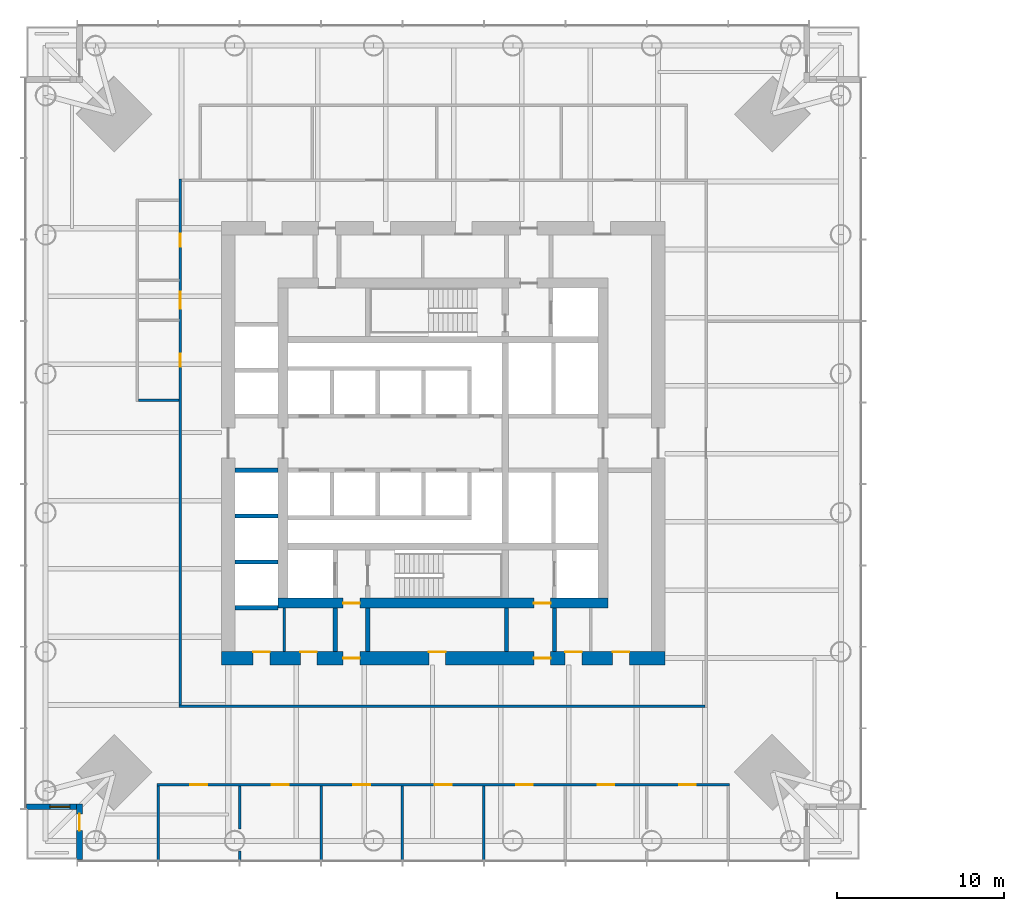
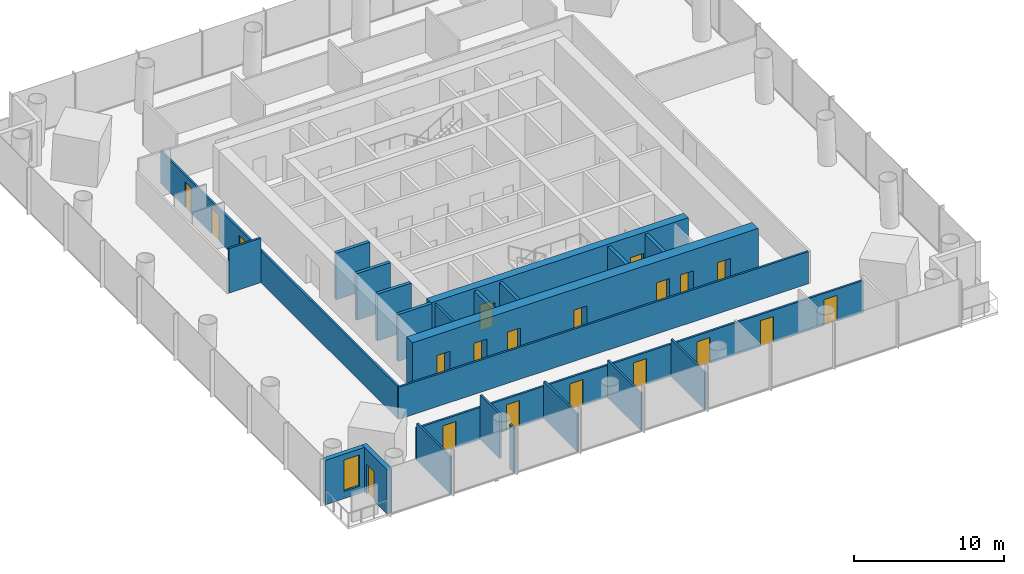
# One storey, part 9 of 19: 23 walls, 20 doors, 1 window, 21 openings.
"""IFC4 building model written with IfcOpenShell, lengths in metres."""

from ifc_helpers import new_model, si_unit, direction, frame, frame_2d, origin, place, context, subcontext, project, spatial, rectangle, extrude, material, layer, layer_set, type_object, element, fill, save


model = new_model("IFC4")

# Units and contexts
model_context = context("Model", 3, precision=1e-05, world=origin(), true_north=direction((0.0, 1.0)))
body_context = subcontext(model_context, "Body", "Model", "MODEL_VIEW")
ifc_project = project(units=[si_unit("LENGTHUNIT", "METRE"), si_unit("AREAUNIT", "SQUARE_METRE"), si_unit("VOLUMEUNIT", "CUBIC_METRE"), si_unit("PLANEANGLEUNIT", "RADIAN"), si_unit("MASSUNIT", "GRAM", prefix="KILO")], contexts=[model_context])

# Site, building, storey
site_placement = place(None, origin())
site = spatial("IfcSite", under=ifc_project, at=site_placement, CompositionType="ELEMENT")
building_placement = place(site_placement, origin())
building = spatial("IfcBuilding", under=site, at=building_placement, Name="Ostroluk Exchange", CompositionType="ELEMENT")
storey_placement = place(building_placement, frame((0.0, 0.0, 24.800048828125)))
storey = spatial("IfcBuildingStorey", under=building, at=storey_placement, Name="L05", CompositionType="ELEMENT", Elevation=24.800048828125)

# Walls
ifc_material_1 = material(Name="Concrete blockwork", Category="masonry")
ifc_layer_1 = layer(ifc_material_1, 0.14990234375)
ifc_layer_set_1 = layer_set([ifc_layer_1], Name="Blockwork plant room wall 150")
wall_type_1 = type_object("IfcWallType", Name="Blockwork plant room wall 150", PredefinedType="SOLIDWALL", material=ifc_layer_set_1)
wall_1_placement = place(storey_placement, frame((35.449951171875, 33.5, 0.0), z_axis=(0.0, 0.0, 1.0), x_axis=(0.0, 1.0, 0.0)))
element("IfcWall", 1, at=wall_1_placement, inside=storey, type_object=wall_type_1, Name="Core room wall", PredefinedType="SOLIDWALL", context=body_context, shape_type="SweptSolid", body=[
    extrude(rectangle(XDim=2.60009765625, YDim=0.14990234375, at=frame_2d((1.300048828125, 0.0))), origin(), (0.0, 0.0, 1.0), 3.619873046875),
])
ifc_material_2 = material(Name="Concrete blockwork", Category="masonry")
ifc_layer_2 = layer(ifc_material_2, 0.25)
ifc_layer_set_2 = layer_set([ifc_layer_2], Name="Blockwork stair enclosure wall 250")
wall_type_2 = type_object("IfcWallType", Name="Blockwork stair enclosure wall 250", PredefinedType="SOLIDWALL", material=ifc_layer_set_2)
for number, where, z_axis, x_axis, name in (
    (2, (38.52490234375, 33.5, 0.0), (0.0, 0.0, 1.0), (0.0, 1.0, 0.0), "Fire lobby enclosure wall"),
    (3, (40.47509765625, 33.5, 0.0), (0.0, 0.0, 1.0), (0.0, 1.0, 0.0), "Fire lobby enclosure wall"),
    (4, (48.804931640625, 33.5, 0.0), (0.0, 0.0, 1.0), (0.0, 1.0, 0.0), "Service lobby enclosure wall"),
    (5, (51.675048828125, 33.5, 0.0), (0.0, 0.0, 1.0), (0.0, 1.0, 0.0), "Service lobby enclosure wall"),
):
    element("IfcWall", number, at=place(storey_placement, frame(where, z_axis=z_axis, x_axis=x_axis)), inside=storey, type_object=wall_type_2, Name=name, PredefinedType="SOLIDWALL", context=body_context, shape_type="SweptSolid", body=[
        extrude(rectangle(XDim=2.60009765625, YDim=0.25, at=frame_2d((1.300048828125, 0.0))), origin(), (0.0, 0.0, 1.0), 3.619873046875),
    ])
ifc_material_3 = material(Name="Concrete C40/50", Category="concrete")
ifc_layer_3 = layer(ifc_material_3, 0.25)
ifc_layer_set_3 = layer_set([ifc_layer_3], Name="Core shaft wall 250")
wall_type_3 = type_object("IfcWallType", Name="Core shaft wall 250", PredefinedType="SHEAR", material=ifc_layer_set_3)
for number, where, z_axis, x_axis, name in (
    (6, (32.5, 36.125, 0.0), (0.0, 0.0, 1.0), (1.0, 0.0, 0.0), "Lift shaft wall"),
    (7, (32.5, 38.875, 0.0), (0.0, 0.0, 1.0), (1.0, 0.0, 0.0), "Lift shaft wall"),
    (8, (32.5, 41.625, 0.0), (0.0, 0.0, 1.0), (1.0, 0.0, 0.0), "Lift shaft wall"),
    (9, (32.5, 44.375, 0.0), (0.0, 0.0, 1.0), (1.0, 0.0, 0.0), "Lift shaft wall"),
):
    element("IfcWall", number, at=place(storey_placement, frame(where, z_axis=z_axis, x_axis=x_axis)), inside=storey, type_object=wall_type_3, Name=name, PredefinedType="SHEAR", context=body_context, shape_type="SweptSolid", body=[
        extrude(rectangle(XDim=2.60009765625, YDim=0.25, at=frame_2d((1.300048828125, 0.0))), origin(), (0.0, 0.0, 1.0), 3.800048828125),
    ])

# Wall, openings, doors
ifc_material_4 = material(Name="Concrete C50/60", Category="concrete")
ifc_layer_4 = layer(ifc_material_4, 0.60009765625)
ifc_layer_set_4 = layer_set([ifc_layer_4], Name="Core wall 600 C50/60")
wall_type_4 = type_object("IfcWallType", Name="Core wall 600 C50/60", PredefinedType="SHEAR", material=ifc_layer_set_4)
wall_2_placement = place(storey_placement, frame((35.10009765625, 36.39990234375, 0.0), z_axis=(0.0, 0.0, 1.0), x_axis=(1.0, 0.0, 0.0)))
wall_2 = element("IfcWall", 10, at=wall_2_placement, inside=storey, type_object=wall_type_4, Name="T1 core wall S", PredefinedType="SHEAR", context=body_context, shape_type="SweptSolid", body=[
    extrude(rectangle(XDim=19.7998046875, YDim=0.60009765625, at=frame_2d((9.89990234375, 0.0))), origin(), (0.0, 0.0, 1.0), 3.800048828125),
])
opening_1_placement = place(wall_2_placement, frame((3.89990234375, 0.0, 0.0)))
opening_1 = element("IfcOpeningElement", 11, at=opening_1_placement, cuts=wall_2, Name="Opening FD60", PredefinedType="OPENING", context=body_context, shape_type="SweptSolid", body=[
    extrude(rectangle(XDim=1.0, YDim=2.10009765625, at=frame_2d((0.5, 1.050048828125))), frame((0.0, 0.31005859375, 0.0), z_axis=(0.0, -1.0, 0.0), x_axis=(1.0, 0.0, 0.0)), (0.0, 0.0, 1.0), 0.6201171875),
])
opening_2_placement = place(wall_2_placement, frame((15.35009765625, 0.0, 0.0)))
opening_2 = element("IfcOpeningElement", 12, at=opening_2_placement, cuts=wall_2, Name="Opening FD60", PredefinedType="OPENING", context=body_context, shape_type="SweptSolid", body=[
    extrude(rectangle(XDim=1.0, YDim=2.10009765625, at=frame_2d((0.5, 1.050048828125))), frame((0.0, 0.31005859375, 0.0), z_axis=(0.0, -1.0, 0.0), x_axis=(1.0, 0.0, 0.0)), (0.0, 0.0, 1.0), 0.6201171875),
])
ifc_material_5 = material(Name="Steel", Category="steel")
door_type_1 = type_object("IfcDoorType", Name="Fire door EI 60 1000 x 2100", OperationType="SINGLE_SWING_LEFT", PredefinedType="DOOR", material=ifc_material_5)
door_1_placement = place(opening_1_placement, origin())
door_1 = element("IfcDoor", 13, at=door_1_placement, inside=storey, type_object=door_type_1, Name="Firefighting lobby door", OperationType="SINGLE_SWING_LEFT", OverallHeight=2.10009765625, OverallWidth=1.0, PredefinedType="DOOR", context=body_context, shape_type="SweptSolid", body=[
    extrude(rectangle(XDim=1.0, YDim=2.10009765625, at=frame_2d((0.5, 1.050048828125))), frame((0.0, 0.02490234375, 0.0), z_axis=(0.0, -1.0, 0.0), x_axis=(1.0, 0.0, 0.0)), (0.0, 0.0, 1.0), 0.050048828125),
])
fill(opening_1, door_1)
door_2_placement = place(opening_2_placement, origin())
door_2 = element("IfcDoor", 14, at=door_2_placement, inside=storey, type_object=door_type_1, Name="Service lobby door", OperationType="SINGLE_SWING_RIGHT", OverallHeight=2.10009765625, OverallWidth=1.0, PredefinedType="DOOR", context=body_context, shape_type="SweptSolid", body=[
    extrude(rectangle(XDim=1.0, YDim=2.10009765625, at=frame_2d((0.5, 1.050048828125))), frame((0.0, 0.02490234375, 0.0), z_axis=(0.0, -1.0, 0.0), x_axis=(1.0, 0.0, 0.0)), (0.0, 0.0, 1.0), 0.050048828125),
])
fill(opening_2, door_2)

ifc_material_6 = material(Name="Concrete C50/60", Category="concrete")
ifc_layer_5 = layer(ifc_material_6, 0.800048828125)
ifc_layer_set_5 = layer_set([ifc_layer_5], Name="Core wall 800 C50/60")
wall_type_5 = type_object("IfcWallType", Name="Core wall 800 C50/60", PredefinedType="SHEAR", material=ifc_layer_set_5)
wall_3_placement = place(storey_placement, frame((31.699951171875, 33.10009765625, 0.0), z_axis=(0.0, 0.0, 1.0), x_axis=(1.0, 0.0, 0.0)))
wall_3 = element("IfcWall", 15, at=wall_3_placement, inside=storey, type_object=wall_type_5, Name="T1 core wall RS", PredefinedType="SHEAR", context=body_context, shape_type="SweptSolid", body=[
    extrude(rectangle(XDim=26.60009765625, YDim=0.800048828125, at=frame_2d((13.300048828125, 0.0))), origin(), (0.0, 0.0, 1.0), 3.800048828125),
])
opening_3_placement = place(wall_3_placement, frame((7.300048828125, 0.0, 0.0)))
opening_3 = element("IfcOpeningElement", 16, at=opening_3_placement, cuts=wall_3, Name="Opening FD60", PredefinedType="OPENING", context=body_context, shape_type="SweptSolid", body=[
    extrude(rectangle(XDim=1.0, YDim=2.10009765625, at=frame_2d((0.5, 1.050048828125))), frame((0.0, 0.409912109375, 0.0), z_axis=(0.0, -1.0, 0.0), x_axis=(1.0, 0.0, 0.0)), (0.0, 0.0, 1.0), 0.820068359375),
])
opening_4_placement = place(wall_3_placement, frame((18.75, 0.0, 0.0)))
opening_4 = element("IfcOpeningElement", 17, at=opening_4_placement, cuts=wall_3, Name="Opening FD60", PredefinedType="OPENING", context=body_context, shape_type="SweptSolid", body=[
    extrude(rectangle(XDim=1.0, YDim=2.10009765625, at=frame_2d((0.5, 1.050048828125))), frame((0.0, 0.409912109375, 0.0), z_axis=(0.0, -1.0, 0.0), x_axis=(1.0, 0.0, 0.0)), (0.0, 0.0, 1.0), 0.820068359375),
])
opening_5_placement = place(wall_3_placement, frame((1.89990234375, 0.0, 0.0)))
opening_5 = element("IfcOpeningElement", 18, at=opening_5_placement, cuts=wall_3, Name="Opening FD60", PredefinedType="OPENING", context=body_context, shape_type="SweptSolid", body=[
    extrude(rectangle(XDim=1.0, YDim=2.10009765625, at=frame_2d((0.5, 1.050048828125))), frame((0.0, 0.409912109375, 0.0), z_axis=(0.0, -1.0, 0.0), x_axis=(1.0, 0.0, 0.0)), (0.0, 0.0, 1.0), 0.820068359375),
])
opening_6_placement = place(wall_3_placement, frame((4.72509765625, 0.0, 0.0)))
opening_6 = element("IfcOpeningElement", 19, at=opening_6_placement, cuts=wall_3, Name="Opening FD60", PredefinedType="OPENING", context=body_context, shape_type="SweptSolid", body=[
    extrude(rectangle(XDim=1.0, YDim=2.10009765625, at=frame_2d((0.5, 1.050048828125))), frame((0.0, 0.409912109375, 0.0), z_axis=(0.0, -1.0, 0.0), x_axis=(1.0, 0.0, 0.0)), (0.0, 0.0, 1.0), 0.820068359375),
])
opening_7_placement = place(wall_3_placement, frame((12.43994140625, 0.0, 0.0)))
opening_7 = element("IfcOpeningElement", 20, at=opening_7_placement, cuts=wall_3, Name="Opening FD60", PredefinedType="OPENING", context=body_context, shape_type="SweptSolid", body=[
    extrude(rectangle(XDim=1.0, YDim=2.10009765625, at=frame_2d((0.5, 1.050048828125))), frame((0.0, 0.409912109375, 0.0), z_axis=(0.0, -1.0, 0.0), x_axis=(1.0, 0.0, 0.0)), (0.0, 0.0, 1.0), 0.820068359375),
])
opening_8_placement = place(wall_3_placement, frame((20.6259765625, 0.0, 0.0)))
opening_8 = element("IfcOpeningElement", 21, at=opening_8_placement, cuts=wall_3, Name="Opening FD60", PredefinedType="OPENING", context=body_context, shape_type="SweptSolid", body=[
    extrude(rectangle(XDim=1.0, YDim=2.10009765625, at=frame_2d((0.5, 1.050048828125))), frame((0.0, 0.409912109375, 0.0), z_axis=(0.0, -1.0, 0.0), x_axis=(1.0, 0.0, 0.0)), (0.0, 0.0, 1.0), 0.820068359375),
])
opening_9_placement = place(wall_3_placement, frame((23.47607421875, 0.0, 0.0)))
opening_9 = element("IfcOpeningElement", 22, at=opening_9_placement, cuts=wall_3, Name="Opening FD60", PredefinedType="OPENING", context=body_context, shape_type="SweptSolid", body=[
    extrude(rectangle(XDim=1.0, YDim=2.10009765625, at=frame_2d((0.5, 1.050048828125))), frame((0.0, 0.409912109375, 0.0), z_axis=(0.0, -1.0, 0.0), x_axis=(1.0, 0.0, 0.0)), (0.0, 0.0, 1.0), 0.820068359375),
])
door_3_placement = place(opening_3_placement, origin())
door_3 = element("IfcDoor", 23, at=door_3_placement, inside=storey, type_object=door_type_1, Name="Firefighting lobby door", OperationType="SINGLE_SWING_LEFT", OverallHeight=2.10009765625, OverallWidth=1.0, PredefinedType="DOOR", context=body_context, shape_type="SweptSolid", body=[
    extrude(rectangle(XDim=1.0, YDim=2.10009765625, at=frame_2d((0.5, 1.050048828125))), frame((0.0, 0.02490234375, 0.0), z_axis=(0.0, -1.0, 0.0), x_axis=(1.0, 0.0, 0.0)), (0.0, 0.0, 1.0), 0.050048828125),
])
fill(opening_3, door_3)
door_4_placement = place(opening_4_placement, origin())
door_4 = element("IfcDoor", 24, at=door_4_placement, inside=storey, type_object=door_type_1, Name="Service lobby door", OperationType="SINGLE_SWING_RIGHT", OverallHeight=2.10009765625, OverallWidth=1.0, PredefinedType="DOOR", context=body_context, shape_type="SweptSolid", body=[
    extrude(rectangle(XDim=1.0, YDim=2.10009765625, at=frame_2d((0.5, 1.050048828125))), frame((0.0, 0.02490234375, 0.0), z_axis=(0.0, -1.0, 0.0), x_axis=(1.0, 0.0, 0.0)), (0.0, 0.0, 1.0), 0.050048828125),
])
fill(opening_4, door_4)
door_5_placement = place(opening_5_placement, origin())
door_5 = element("IfcDoor", 25, at=door_5_placement, inside=storey, type_object=door_type_1, Name="Archive door", OperationType="SINGLE_SWING_LEFT", OverallHeight=2.10009765625, OverallWidth=1.0, PredefinedType="DOOR", context=body_context, shape_type="SweptSolid", body=[
    extrude(rectangle(XDim=1.0, YDim=2.10009765625, at=frame_2d((0.5, 1.050048828125))), frame((0.0, 0.39013671875, 0.0), z_axis=(0.0, -1.0, 0.0), x_axis=(1.0, 0.0, 0.0)), (0.0, 0.0, 1.0), 0.050048828125),
])
fill(opening_5, door_5)
door_6_placement = place(opening_6_placement, origin())
door_6 = element("IfcDoor", 26, at=door_6_placement, inside=storey, type_object=door_type_1, Name="Tenant IT room door", OperationType="SINGLE_SWING_LEFT", OverallHeight=2.10009765625, OverallWidth=1.0, PredefinedType="DOOR", context=body_context, shape_type="SweptSolid", body=[
    extrude(rectangle(XDim=1.0, YDim=2.10009765625, at=frame_2d((0.5, 1.050048828125))), frame((0.0, 0.39013671875, 0.0), z_axis=(0.0, -1.0, 0.0), x_axis=(1.0, 0.0, 0.0)), (0.0, 0.0, 1.0), 0.050048828125),
])
fill(opening_6, door_6)
door_7_placement = place(opening_7_placement, origin())
door_7 = element("IfcDoor", 27, at=door_7_placement, inside=storey, type_object=door_type_1, Name="Tea point door", OperationType="SINGLE_SWING_LEFT", OverallHeight=2.10009765625, OverallWidth=1.0, PredefinedType="DOOR", context=body_context, shape_type="SweptSolid", body=[
    extrude(rectangle(XDim=1.0, YDim=2.10009765625, at=frame_2d((0.5, 1.050048828125))), frame((0.0, 0.39013671875, 0.0), z_axis=(0.0, -1.0, 0.0), x_axis=(1.0, 0.0, 0.0)), (0.0, 0.0, 1.0), 0.050048828125),
])
fill(opening_7, door_7)
door_8_placement = place(opening_8_placement, origin())
door_8 = element("IfcDoor", 28, at=door_8_placement, inside=storey, type_object=door_type_1, Name="Store door", OperationType="SINGLE_SWING_RIGHT", OverallHeight=2.10009765625, OverallWidth=1.0, PredefinedType="DOOR", context=body_context, shape_type="SweptSolid", body=[
    extrude(rectangle(XDim=1.0, YDim=2.10009765625, at=frame_2d((0.5, 1.050048828125))), frame((0.0, 0.39013671875, 0.0), z_axis=(0.0, -1.0, 0.0), x_axis=(1.0, 0.0, 0.0)), (0.0, 0.0, 1.0), 0.050048828125),
])
fill(opening_8, door_8)
door_9_placement = place(opening_9_placement, origin())
door_9 = element("IfcDoor", 29, at=door_9_placement, inside=storey, type_object=door_type_1, Name="First aid room door", OperationType="SINGLE_SWING_RIGHT", OverallHeight=2.10009765625, OverallWidth=1.0, PredefinedType="DOOR", context=body_context, shape_type="SweptSolid", body=[
    extrude(rectangle(XDim=1.0, YDim=2.10009765625, at=frame_2d((0.5, 1.050048828125))), frame((0.0, 0.39013671875, 0.0), z_axis=(0.0, -1.0, 0.0), x_axis=(1.0, 0.0, 0.0)), (0.0, 0.0, 1.0), 0.050048828125),
])
fill(opening_9, door_9)

# Wall, opening, door
ifc_material_7 = material(Name="Limestone", Category="masonry")
ifc_layer_6 = layer(ifc_material_7, 0.35009765625)
ifc_layer_set_6 = layer_set([ifc_layer_6], Name="Limestone facade wall 350")
wall_type_6 = type_object("IfcWallType", Name="Limestone facade wall 350", PredefinedType="SOLIDWALL", material=ifc_layer_set_6)
wall_4_placement = place(storey_placement, frame((23.175048828125, 21.0, 0.0), z_axis=(0.0, 0.0, 1.0), x_axis=(0.0, 1.0, 0.0)))
wall_4 = element("IfcWall", 30, at=wall_4_placement, inside=storey, type_object=wall_type_6, Name="Office tower SW corner wall L05 a", PredefinedType="SOLIDWALL", context=body_context, shape_type="SweptSolid", body=[
    extrude(rectangle(XDim=3.35009765625, YDim=0.35009765625, at=frame_2d((1.675048828125, 0.0))), origin(), (0.0, 0.0, 1.0), 3.619873046875),
])
opening_10_placement = place(wall_4_placement, frame((1.75, 0.0, 0.0)))
opening_10 = element("IfcOpeningElement", 31, at=opening_10_placement, cuts=wall_4, Name="Opening D-B1", PredefinedType="OPENING", context=body_context, shape_type="SweptSolid", body=[
    extrude(rectangle(XDim=1.0, YDim=2.39990234375, at=frame_2d((0.5, 1.199951171875))), frame((0.0, 0.18505859375, 0.0), z_axis=(0.0, -1.0, 0.0), x_axis=(1.0, 0.0, 0.0)), (0.0, 0.0, 1.0), 0.3701171875),
])
ifc_material_8 = material(Name="Bronze framed glazed door", Category="aluminium")
door_type_2 = type_object("IfcDoorType", Name="Balcony door 1000 x 2400", OperationType="SINGLE_SWING_LEFT", PredefinedType="DOOR", material=ifc_material_8)
door_10_placement = place(opening_10_placement, origin())
door_10 = element("IfcDoor", 32, at=door_10_placement, inside=storey, type_object=door_type_2, Name="Office tower SW balcony door L05", OperationType="SINGLE_SWING_RIGHT", OverallHeight=2.39990234375, OverallWidth=1.0, PredefinedType="DOOR", context=body_context, shape_type="SweptSolid", body=[
    extrude(rectangle(XDim=1.0, YDim=2.39990234375, at=frame_2d((0.5, 1.199951171875))), frame((0.0, 0.02490234375, 0.0), z_axis=(0.0, -1.0, 0.0), x_axis=(1.0, 0.0, 0.0)), (0.0, 0.0, 1.0), 0.050048828125),
])
fill(opening_10, door_10)

# Wall, opening, window
wall_5_placement = place(storey_placement, frame((23.0, 24.175048828125, 0.0), z_axis=(0.0, 0.0, 1.0), x_axis=(-1.0, 0.0, 0.0)))
wall_5 = element("IfcWall", 33, at=wall_5_placement, inside=storey, type_object=wall_type_6, Name="Office tower SW corner wall L05 b", PredefinedType="SOLIDWALL", context=body_context, shape_type="SweptSolid", body=[
    extrude(rectangle(XDim=3.0, YDim=0.35009765625, at=frame_2d((1.5, 0.0))), origin(), (0.0, 0.0, 1.0), 3.619873046875),
])
opening_11_placement = place(wall_5_placement, frame((0.39990234375, 0.0, 0.60009765625)))
opening_11 = element("IfcOpeningElement", 34, at=opening_11_placement, cuts=wall_5, Name="Opening WN-L1", PredefinedType="OPENING", context=body_context, shape_type="SweptSolid", body=[
    extrude(rectangle(XDim=1.199951171875, YDim=2.550048828125, at=frame_2d((0.60009765625, 1.27490234375))), frame((0.0, 0.18505859375, 0.0), z_axis=(0.0, -1.0, 0.0), x_axis=(1.0, 0.0, 0.0)), (0.0, 0.0, 1.0), 0.3701171875),
])
ifc_material_9 = material(Name="Laminated clear glass", Category="glass")
window_type = type_object("IfcWindowType", Name="Lancet window 1200 x 2550", PartitioningType="SINGLE_PANEL", PredefinedType="WINDOW", material=ifc_material_9)
window_placement = place(opening_11_placement, origin())
window = element("IfcWindow", 35, at=window_placement, inside=storey, type_object=window_type, Name="Office tower SW lancet window L05", OverallHeight=2.550048828125, OverallWidth=1.199951171875, PartitioningType="SINGLE_PANEL", PredefinedType="WINDOW", context=body_context, shape_type="SweptSolid", body=[
    extrude(rectangle(XDim=1.199951171875, YDim=2.550048828125, at=frame_2d((0.60009765625, 1.27490234375))), frame((0.0, 0.030029296875, 0.0), z_axis=(0.0, -1.0, 0.0), x_axis=(1.0, 0.0, 0.0)), (0.0, 0.0, 1.0), 0.06005859375),
])
fill(opening_11, window)

# Wall, openings, doors
ifc_material_10 = material(Name="Gypsum plasterboard partition", Category="gypsum")
ifc_layer_7 = layer(ifc_material_10, 0.14990234375)
ifc_layer_set_7 = layer_set([ifc_layer_7], Name="Plasterboard partition 150")
wall_type_7 = type_object("IfcWallType", Name="Plasterboard partition 150", PredefinedType="PARTITIONING", material=ifc_layer_set_7)
wall_6_placement = place(storey_placement, frame((27.81396484375, 25.5, 0.0), z_axis=(0.0, 0.0, 1.0), x_axis=(1.0, 0.0, 0.0)))
wall_6 = element("IfcWall", 36, at=wall_6_placement, inside=storey, type_object=wall_type_7, Name="Partition", PredefinedType="PARTITIONING", context=body_context, shape_type="SweptSolid", body=[
    extrude(rectangle(XDim=34.3720703125, YDim=0.14990234375, at=frame_2d((17.18603515625, 0.0))), origin(), (0.0, 0.0, 1.0), 2.612060546875),
])
opening_12_placement = place(wall_6_placement, frame((2.01953125, 0.0, 0.0)))
opening_12 = element("IfcOpeningElement", 37, at=opening_12_placement, cuts=wall_6, Name="Opening D-03", PredefinedType="OPENING", context=body_context, shape_type="SweptSolid", body=[
    extrude(rectangle(XDim=1.0, YDim=2.10009765625, at=frame_2d((0.5, 1.050048828125))), frame((0.0, 0.0849609375, 0.0), z_axis=(0.0, -1.0, 0.0), x_axis=(1.0, 0.0, 0.0)), (0.0, 0.0, 1.0), 0.169921875),
])
opening_13_placement = place(wall_6_placement, frame((6.908447265625, 0.0, 0.0)))
opening_13 = element("IfcOpeningElement", 38, at=opening_13_placement, cuts=wall_6, Name="Opening D-03", PredefinedType="OPENING", context=body_context, shape_type="SweptSolid", body=[
    extrude(rectangle(XDim=1.0, YDim=2.10009765625, at=frame_2d((0.5, 1.050048828125))), frame((0.0, 0.0849609375, 0.0), z_axis=(0.0, -1.0, 0.0), x_axis=(1.0, 0.0, 0.0)), (0.0, 0.0, 1.0), 0.169921875),
])
opening_14_placement = place(wall_6_placement, frame((11.797119140625, 0.0, 0.0)))
opening_14 = element("IfcOpeningElement", 39, at=opening_14_placement, cuts=wall_6, Name="Opening D-03", PredefinedType="OPENING", context=body_context, shape_type="SweptSolid", body=[
    extrude(rectangle(XDim=1.0, YDim=2.10009765625, at=frame_2d((0.5, 1.050048828125))), frame((0.0, 0.0849609375, 0.0), z_axis=(0.0, -1.0, 0.0), x_axis=(1.0, 0.0, 0.0)), (0.0, 0.0, 1.0), 0.169921875),
])
opening_15_placement = place(wall_6_placement, frame((16.68603515625, 0.0, 0.0)))
opening_15 = element("IfcOpeningElement", 40, at=opening_15_placement, cuts=wall_6, Name="Opening D-03", PredefinedType="OPENING", context=body_context, shape_type="SweptSolid", body=[
    extrude(rectangle(XDim=1.0, YDim=2.10009765625, at=frame_2d((0.5, 1.050048828125))), frame((0.0, 0.0849609375, 0.0), z_axis=(0.0, -1.0, 0.0), x_axis=(1.0, 0.0, 0.0)), (0.0, 0.0, 1.0), 0.169921875),
])
opening_16_placement = place(wall_6_placement, frame((21.574951171875, 0.0, 0.0)))
opening_16 = element("IfcOpeningElement", 41, at=opening_16_placement, cuts=wall_6, Name="Opening D-03", PredefinedType="OPENING", context=body_context, shape_type="SweptSolid", body=[
    extrude(rectangle(XDim=1.0, YDim=2.10009765625, at=frame_2d((0.5, 1.050048828125))), frame((0.0, 0.0849609375, 0.0), z_axis=(0.0, -1.0, 0.0), x_axis=(1.0, 0.0, 0.0)), (0.0, 0.0, 1.0), 0.169921875),
])
opening_17_placement = place(wall_6_placement, frame((26.4638671875, 0.0, 0.0)))
opening_17 = element("IfcOpeningElement", 42, at=opening_17_placement, cuts=wall_6, Name="Opening D-03", PredefinedType="OPENING", context=body_context, shape_type="SweptSolid", body=[
    extrude(rectangle(XDim=1.0, YDim=2.10009765625, at=frame_2d((0.5, 1.050048828125))), frame((0.0, 0.0849609375, 0.0), z_axis=(0.0, -1.0, 0.0), x_axis=(1.0, 0.0, 0.0)), (0.0, 0.0, 1.0), 0.169921875),
])
opening_18_placement = place(wall_6_placement, frame((31.352783203125, 0.0, 0.0)))
opening_18 = element("IfcOpeningElement", 43, at=opening_18_placement, cuts=wall_6, Name="Opening D-03", PredefinedType="OPENING", context=body_context, shape_type="SweptSolid", body=[
    extrude(rectangle(XDim=1.0, YDim=2.10009765625, at=frame_2d((0.5, 1.050048828125))), frame((0.0, 0.0849609375, 0.0), z_axis=(0.0, -1.0, 0.0), x_axis=(1.0, 0.0, 0.0)), (0.0, 0.0, 1.0), 0.169921875),
])
ifc_material_11 = material(Name="Timber", Category="wood")
door_type_3 = type_object("IfcDoorType", Name="Internal door 1000 x 2100", OperationType="SINGLE_SWING_LEFT", PredefinedType="DOOR", material=ifc_material_11)
door_11_placement = place(opening_12_placement, origin())
door_11 = element("IfcDoor", 44, at=door_11_placement, inside=storey, type_object=door_type_3, Name="Office door", OperationType="SINGLE_SWING_LEFT", OverallHeight=2.10009765625, OverallWidth=1.0, PredefinedType="DOOR", context=body_context, shape_type="SweptSolid", body=[
    extrude(rectangle(XDim=1.0, YDim=2.10009765625, at=frame_2d((0.5, 1.050048828125))), frame((0.0, 0.02490234375, 0.0), z_axis=(0.0, -1.0, 0.0), x_axis=(1.0, 0.0, 0.0)), (0.0, 0.0, 1.0), 0.050048828125),
])
fill(opening_12, door_11)
door_12_placement = place(opening_13_placement, origin())
door_12 = element("IfcDoor", 45, at=door_12_placement, inside=storey, type_object=door_type_3, Name="Office door", OperationType="SINGLE_SWING_LEFT", OverallHeight=2.10009765625, OverallWidth=1.0, PredefinedType="DOOR", context=body_context, shape_type="SweptSolid", body=[
    extrude(rectangle(XDim=1.0, YDim=2.10009765625, at=frame_2d((0.5, 1.050048828125))), frame((0.0, 0.02490234375, 0.0), z_axis=(0.0, -1.0, 0.0), x_axis=(1.0, 0.0, 0.0)), (0.0, 0.0, 1.0), 0.050048828125),
])
fill(opening_13, door_12)
door_13_placement = place(opening_14_placement, origin())
door_13 = element("IfcDoor", 46, at=door_13_placement, inside=storey, type_object=door_type_3, Name="Office door", OperationType="SINGLE_SWING_LEFT", OverallHeight=2.10009765625, OverallWidth=1.0, PredefinedType="DOOR", context=body_context, shape_type="SweptSolid", body=[
    extrude(rectangle(XDim=1.0, YDim=2.10009765625, at=frame_2d((0.5, 1.050048828125))), frame((0.0, 0.02490234375, 0.0), z_axis=(0.0, -1.0, 0.0), x_axis=(1.0, 0.0, 0.0)), (0.0, 0.0, 1.0), 0.050048828125),
])
fill(opening_14, door_13)
door_14_placement = place(opening_15_placement, origin())
door_14 = element("IfcDoor", 47, at=door_14_placement, inside=storey, type_object=door_type_3, Name="Office door", OperationType="SINGLE_SWING_RIGHT", OverallHeight=2.10009765625, OverallWidth=1.0, PredefinedType="DOOR", context=body_context, shape_type="SweptSolid", body=[
    extrude(rectangle(XDim=1.0, YDim=2.10009765625, at=frame_2d((0.5, 1.050048828125))), frame((0.0, 0.02490234375, 0.0), z_axis=(0.0, -1.0, 0.0), x_axis=(1.0, 0.0, 0.0)), (0.0, 0.0, 1.0), 0.050048828125),
])
fill(opening_15, door_14)
door_15_placement = place(opening_16_placement, origin())
door_15 = element("IfcDoor", 48, at=door_15_placement, inside=storey, type_object=door_type_3, Name="Office door", OperationType="SINGLE_SWING_RIGHT", OverallHeight=2.10009765625, OverallWidth=1.0, PredefinedType="DOOR", context=body_context, shape_type="SweptSolid", body=[
    extrude(rectangle(XDim=1.0, YDim=2.10009765625, at=frame_2d((0.5, 1.050048828125))), frame((0.0, 0.02490234375, 0.0), z_axis=(0.0, -1.0, 0.0), x_axis=(1.0, 0.0, 0.0)), (0.0, 0.0, 1.0), 0.050048828125),
])
fill(opening_16, door_15)
door_16_placement = place(opening_17_placement, origin())
door_16 = element("IfcDoor", 49, at=door_16_placement, inside=storey, type_object=door_type_3, Name="Office door", OperationType="SINGLE_SWING_RIGHT", OverallHeight=2.10009765625, OverallWidth=1.0, PredefinedType="DOOR", context=body_context, shape_type="SweptSolid", body=[
    extrude(rectangle(XDim=1.0, YDim=2.10009765625, at=frame_2d((0.5, 1.050048828125))), frame((0.0, 0.02490234375, 0.0), z_axis=(0.0, -1.0, 0.0), x_axis=(1.0, 0.0, 0.0)), (0.0, 0.0, 1.0), 0.050048828125),
])
fill(opening_17, door_16)
door_17_placement = place(opening_18_placement, origin())
door_17 = element("IfcDoor", 50, at=door_17_placement, inside=storey, type_object=door_type_3, Name="Office door", OperationType="SINGLE_SWING_RIGHT", OverallHeight=2.10009765625, OverallWidth=1.0, PredefinedType="DOOR", context=body_context, shape_type="SweptSolid", body=[
    extrude(rectangle(XDim=1.0, YDim=2.10009765625, at=frame_2d((0.5, 1.050048828125))), frame((0.0, 0.02490234375, 0.0), z_axis=(0.0, -1.0, 0.0), x_axis=(1.0, 0.0, 0.0)), (0.0, 0.0, 1.0), 0.050048828125),
])
fill(opening_18, door_17)

# Walls
wall_7_placement = place(storey_placement, frame((27.888916015625, 25.425048828125, 0.0), z_axis=(0.0, 0.0, 1.0), x_axis=(0.0, -1.0, 0.0)))
element("IfcWall", 51, at=wall_7_placement, inside=storey, type_object=wall_type_7, Name="Partition", PredefinedType="PARTITIONING", context=body_context, shape_type="SweptSolid", body=[
    extrude(rectangle(XDim=4.465087890625, YDim=0.14990234375, at=frame_2d((2.232421875, 0.0))), origin(), (0.0, 0.0, 1.0), 3.02001953125),
])
wall_8_placement = place(storey_placement, frame((32.77783203125, 25.425048828125, 0.0), z_axis=(0.0, 0.0, 1.0), x_axis=(0.0, -1.0, 0.0)))
element("IfcWall", 52, at=wall_8_placement, inside=storey, type_object=wall_type_7, Name="Partition", PredefinedType="PARTITIONING", context=body_context, shape_type="SweptSolid", body=[
    extrude(rectangle(XDim=2.57275390625, YDim=0.14990234375, at=frame_2d((1.286376953125, 0.0))), origin(), (0.0, 0.0, 1.0), 3.619873046875),
])
wall_9_placement = place(storey_placement, frame((32.77783203125, 21.511962890625, 0.0), z_axis=(0.0, 0.0, 1.0), x_axis=(0.0, -1.0, 0.0)))
element("IfcWall", 53, at=wall_9_placement, inside=storey, type_object=wall_type_7, Name="Partition", PredefinedType="PARTITIONING", context=body_context, shape_type="SweptSolid", body=[
    extrude(rectangle(XDim=0.552001953125, YDim=0.14990234375, at=frame_2d((0.27587890625, 0.0))), origin(), (0.0, 0.0, 1.0), 3.619873046875),
])
for number, where, z_axis, x_axis, name in (
    (54, (37.666748046875, 25.425048828125, 0.0), (0.0, 0.0, 1.0), (0.0, -1.0, 0.0), "Partition"),
    (55, (42.5556640625, 25.425048828125, 0.0), (0.0, 0.0, 1.0), (0.0, -1.0, 0.0), "Partition"),
    (56, (47.4443359375, 25.425048828125, 0.0), (0.0, 0.0, 1.0), (0.0, -1.0, 0.0), "Partition"),
):
    element("IfcWall", number, at=place(storey_placement, frame(where, z_axis=z_axis, x_axis=x_axis)), inside=storey, type_object=wall_type_7, Name=name, PredefinedType="PARTITIONING", context=body_context, shape_type="SweptSolid", body=[
        extrude(rectangle(XDim=4.465087890625, YDim=0.14990234375, at=frame_2d((2.232421875, 0.0))), origin(), (0.0, 0.0, 1.0), 3.02001953125),
    ])

# Wall, openings, doors
wall_10_placement = place(storey_placement, frame((29.22509765625, 61.85009765625, 0.0), z_axis=(0.0, 0.0, 1.0), x_axis=(0.0, -1.0, 0.0)))
wall_10 = element("IfcWall", 57, at=wall_10_placement, inside=storey, type_object=wall_type_7, Name="Corridor wall", PredefinedType="PARTITIONING", context=body_context, shape_type="SweptSolid", body=[
    extrude(rectangle(XDim=31.550048828125, YDim=0.14990234375, at=frame_2d((15.77490234375, 0.0))), origin(), (0.0, 0.0, 1.0), 2.612060546875),
])
opening_19_placement = place(wall_10_placement, frame((3.27490234375, 0.0, 0.0)))
opening_19 = element("IfcOpeningElement", 58, at=opening_19_placement, cuts=wall_10, Name="Opening D-06", PredefinedType="OPENING", context=body_context, shape_type="SweptSolid", body=[
    extrude(rectangle(XDim=0.800048828125, YDim=2.10009765625, at=frame_2d((0.39990234375, 1.050048828125))), frame((0.0, 0.0849609375, 0.0), z_axis=(0.0, -1.0, 0.0), x_axis=(1.0, 0.0, 0.0)), (0.0, 0.0, 1.0), 0.169921875),
])
opening_20_placement = place(wall_10_placement, frame((6.77490234375, 0.0, 0.0)))
opening_20 = element("IfcOpeningElement", 59, at=opening_20_placement, cuts=wall_10, Name="Opening D-03", PredefinedType="OPENING", context=body_context, shape_type="SweptSolid", body=[
    extrude(rectangle(XDim=1.0, YDim=2.10009765625, at=frame_2d((0.5, 1.050048828125))), frame((0.0, 0.0849609375, 0.0), z_axis=(0.0, -1.0, 0.0), x_axis=(1.0, 0.0, 0.0)), (0.0, 0.0, 1.0), 0.169921875),
])
opening_21_placement = place(wall_10_placement, frame((10.47509765625, 0.0, 0.0)))
opening_21 = element("IfcOpeningElement", 60, at=opening_21_placement, cuts=wall_10, Name="Opening D-06", PredefinedType="OPENING", context=body_context, shape_type="SweptSolid", body=[
    extrude(rectangle(XDim=0.800048828125, YDim=2.10009765625, at=frame_2d((0.39990234375, 1.050048828125))), frame((0.0, 0.0849609375, 0.0), z_axis=(0.0, -1.0, 0.0), x_axis=(1.0, 0.0, 0.0)), (0.0, 0.0, 1.0), 0.169921875),
])
door_18_placement = place(opening_20_placement, origin())
door_18 = element("IfcDoor", 61, at=door_18_placement, inside=storey, type_object=door_type_3, Name="Accessible WC door", OperationType="SINGLE_SWING_LEFT", OverallHeight=2.10009765625, OverallWidth=1.0, PredefinedType="DOOR", context=body_context, shape_type="SweptSolid", body=[
    extrude(rectangle(XDim=1.0, YDim=2.10009765625, at=frame_2d((0.5, 1.050048828125))), frame((0.0, 0.02490234375, 0.0), z_axis=(0.0, -1.0, 0.0), x_axis=(1.0, 0.0, 0.0)), (0.0, 0.0, 1.0), 0.050048828125),
])
fill(opening_20, door_18)
ifc_material_12 = material(Name="Timber", Category="wood")
door_type_4 = type_object("IfcDoorType", Name="Toilet door 800 x 2100", OperationType="SINGLE_SWING_LEFT", PredefinedType="DOOR", material=ifc_material_12)
door_19_placement = place(opening_19_placement, origin())
door_19 = element("IfcDoor", 62, at=door_19_placement, inside=storey, type_object=door_type_4, Name="WC female door", OperationType="SINGLE_SWING_LEFT", OverallHeight=2.10009765625, OverallWidth=0.800048828125, PredefinedType="DOOR", context=body_context, shape_type="SweptSolid", body=[
    extrude(rectangle(XDim=0.800048828125, YDim=2.10009765625, at=frame_2d((0.39990234375, 1.050048828125))), frame((0.0, 0.02490234375, 0.0), z_axis=(0.0, -1.0, 0.0), x_axis=(1.0, 0.0, 0.0)), (0.0, 0.0, 1.0), 0.050048828125),
])
fill(opening_19, door_19)
door_20_placement = place(opening_21_placement, origin())
door_20 = element("IfcDoor", 63, at=door_20_placement, inside=storey, type_object=door_type_4, Name="WC male door", OperationType="SINGLE_SWING_LEFT", OverallHeight=2.10009765625, OverallWidth=0.800048828125, PredefinedType="DOOR", context=body_context, shape_type="SweptSolid", body=[
    extrude(rectangle(XDim=0.800048828125, YDim=2.10009765625, at=frame_2d((0.39990234375, 1.050048828125))), frame((0.0, 0.02490234375, 0.0), z_axis=(0.0, -1.0, 0.0), x_axis=(1.0, 0.0, 0.0)), (0.0, 0.0, 1.0), 0.050048828125),
])
fill(opening_21, door_20)

# Walls
wall_11_placement = place(storey_placement, frame((29.14990234375, 30.22509765625, 0.0), z_axis=(0.0, 0.0, 1.0), x_axis=(1.0, 0.0, 0.0)))
element("IfcWall", 64, at=wall_11_placement, inside=storey, type_object=wall_type_7, Name="Corridor wall", PredefinedType="PARTITIONING", context=body_context, shape_type="SweptSolid", body=[
    extrude(rectangle(XDim=31.550048828125, YDim=0.14990234375, at=frame_2d((15.77490234375, 0.0))), origin(), (0.0, 0.0, 1.0), 2.612060546875),
])
ifc_material_13 = material(Name="Gypsum plasterboard partition, moisture resistant", Category="gypsum")
ifc_layer_8 = layer(ifc_material_13, 0.14990234375)
ifc_layer_set_8 = layer_set([ifc_layer_8], Name="Plasterboard toilet partition 150")
wall_type_8 = type_object("IfcWallType", Name="Plasterboard toilet partition 150", PredefinedType="PARTITIONING", material=ifc_layer_set_8)
wall_12_placement = place(storey_placement, frame((29.14990234375, 48.574951171875, 0.0), z_axis=(0.0, 0.0, 1.0), x_axis=(-1.0, 0.0, 0.0)))
element("IfcWall", 65, at=wall_12_placement, inside=storey, type_object=wall_type_8, Name="Toilet partition", PredefinedType="PARTITIONING", context=body_context, shape_type="SweptSolid", body=[
    extrude(rectangle(XDim=2.449951171875, YDim=0.14990234375, at=frame_2d((1.22509765625, 0.0))), origin(), (0.0, 0.0, 1.0), 3.619873046875),
])

save(model, "model.ifc")
